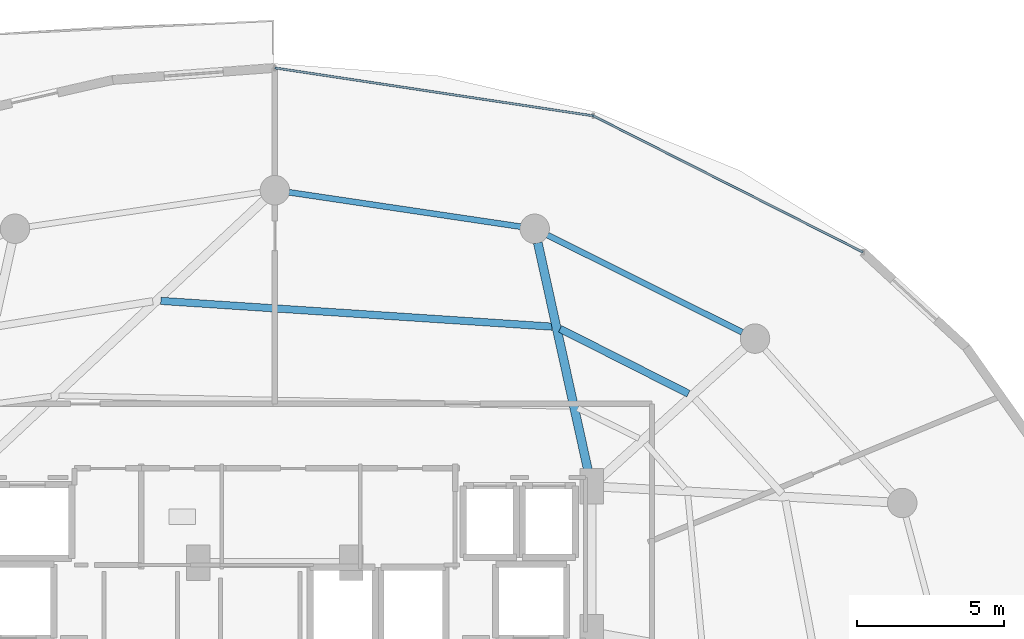
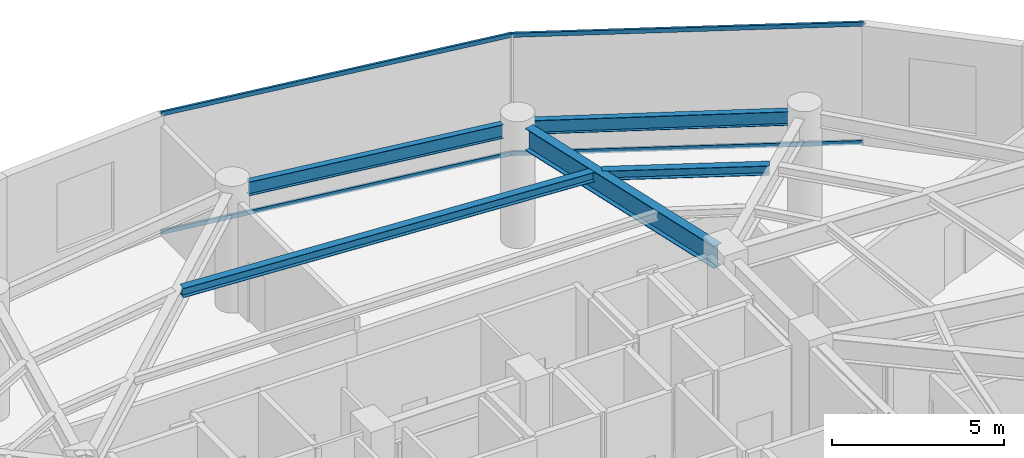
# One storey, part 21 of 31: 5 beams, 4 members, 1 element without a shape of its own.
"""IFC4 building model written with IfcOpenShell, lengths in metres."""

from ifc_helpers import new_model, si_unit, direction, frame, origin, origin_2d, place, context, subcontext, project, spatial, hollow_rectangle, i_section, extrude, material, material_profile, profile_set, type_object, element, aggregate, save


model = new_model("IFC4")

# Units and contexts
model_context = context("Model", 3, precision=1e-05, world=origin(), true_north=direction((0.0, 1.0)))
body_context = subcontext(model_context, "Body", "Model", "MODEL_VIEW")
ifc_project = project(units=[si_unit("LENGTHUNIT", "METRE"), si_unit("AREAUNIT", "SQUARE_METRE"), si_unit("VOLUMEUNIT", "CUBIC_METRE"), si_unit("PLANEANGLEUNIT", "RADIAN"), si_unit("MASSUNIT", "GRAM", prefix="KILO")], contexts=[model_context])

# Site, building, storey
site_placement = place(None, origin())
site = spatial("IfcSite", under=ifc_project, at=site_placement, CompositionType="ELEMENT")
building_placement = place(site_placement, origin())
building = spatial("IfcBuilding", under=site, at=building_placement, Name="Vorneva Point Tower", CompositionType="ELEMENT")
storey_placement = place(building_placement, frame((0.0, 0.0, 174.60009765625)))
storey = spatial("IfcBuildingStorey", under=building, at=storey_placement, Name="L47", CompositionType="ELEMENT", Elevation=174.60009765625)

# Beams
ifc_material_1 = material(Name="Steel S355", Category="steel")
ifc_material_profile_1 = material_profile(ifc_material_1, i_section(OverallWidth=0.300048828125, OverallDepth=0.7880859375, WebThickness=0.014404296875, FlangeThickness=0.02197265625, at=origin_2d()), Name="80Sh1")
ifc_profile_set_1 = profile_set([ifc_material_profile_1], Name="Steel S355")
beam_type_1 = type_object("IfcBeamType", Name="BM-GRD-80Sh1", PredefinedType="USERDEFINED", material=ifc_profile_set_1)
beam_1_placement = place(storey_placement, frame((46.926025390625, 41.414306640625, 3.845947265625), z_axis=(0.215520500859, -0.976499315775, 0.0), x_axis=(0.976499315775, 0.215520500859, 0.0)))
element("IfcBeam", 1, at=beam_1_placement, inside=storey, type_object=beam_type_1, Name="L47 Radial Primary Girder 04", ObjectType="GIRDER", PredefinedType="USERDEFINED", context=body_context, shape_type="SweptSolid", body=[
    extrude(i_section(OverallWidth=0.300048828125, OverallDepth=0.7880859375, WebThickness=0.014404296875, FlangeThickness=0.02197265625, at=origin_2d()), origin(), (0.0, 0.0, 1.0), 8.123291015625),
])
ifc_material_profile_2 = material_profile(ifc_material_1, i_section(OverallWidth=0.2490234375, OverallDepth=0.333984375, WebThickness=0.008056640625, FlangeThickness=0.010986328125, at=origin_2d()), Name="35Sh1")
ifc_profile_set_2 = profile_set([ifc_material_profile_2], Name="Steel S355")
beam_type_2 = type_object("IfcBeamType", Name="BM-SEC-35Sh1", PredefinedType="BEAM", material=ifc_profile_set_2)
beam_2_placement = place(storey_placement, frame((52.037109375, 36.292724609375, 4.072998046875), z_axis=(-0.892388118376, 0.451268707292, 0.0), x_axis=(-0.451268707292, -0.892388118376, 0.0)))
element("IfcBeam", 2, at=beam_2_placement, inside=storey, type_object=beam_type_2, Name="L47 Secondary Floor Beam 1.03", PredefinedType="BEAM", context=body_context, shape_type="SweptSolid", body=[
    extrude(i_section(OverallWidth=0.2490234375, OverallDepth=0.333984375, WebThickness=0.008056640625, FlangeThickness=0.010986328125, at=origin_2d()), origin(), (0.0, 0.0, 1.0), 4.883056640625),
])
beam_3_placement = place(storey_placement, frame((47.418701171875, 38.567626953125, 4.072998046875), z_axis=(-0.997837165049, 0.065734253217, 0.0), x_axis=(-0.065734253217, -0.997837165049, 0.0)))
element("IfcBeam", 3, at=beam_3_placement, inside=storey, type_object=beam_type_2, Name="L47 Secondary Floor Beam 1.04", PredefinedType="BEAM", context=body_context, shape_type="SweptSolid", body=[
    extrude(i_section(OverallWidth=0.2490234375, OverallDepth=0.333984375, WebThickness=0.008056640625, FlangeThickness=0.010986328125, at=origin_2d()), origin(), (0.0, 0.0, 1.0), 13.318603515625),
])
ifc_material_profile_3 = material_profile(ifc_material_1, i_section(OverallWidth=0.199951171875, OverallDepth=0.491943359375, WebThickness=0.0087890625, FlangeThickness=0.011962890625, at=origin_2d()), Name="50B1")
ifc_profile_set_3 = profile_set([ifc_material_profile_3], Name="Steel S355")
beam_type_3 = type_object("IfcBeamType", Name="BM-SPN-50B1", PredefinedType="SPANDREL", material=ifc_profile_set_3)
beam_4_placement = place(storey_placement, frame((53.86474609375, 38.378662109375, 3.993896484375), z_axis=(-0.894929061397, 0.446208443518, 0.0), x_axis=(-0.446208443518, -0.894929061397, 0.0)))
element("IfcBeam", 4, at=beam_4_placement, inside=storey, type_object=beam_type_3, Name="L47 Perimeter Spandrel Ring Beam 03", PredefinedType="SPANDREL", context=body_context, shape_type="SweptSolid", body=[
    extrude(i_section(OverallWidth=0.199951171875, OverallDepth=0.491943359375, WebThickness=0.0087890625, FlangeThickness=0.011962890625, at=origin_2d()), origin(), (0.0, 0.0, 1.0), 7.385986328125),
])
beam_5_placement = place(storey_placement, frame((46.34130859375, 41.9619140625, 3.993896484375), z_axis=(-0.989161199046, 0.146833655211, 0.0), x_axis=(-0.146833655211, -0.989161199046, 0.0)))
element("IfcBeam", 5, at=beam_5_placement, inside=storey, type_object=beam_type_3, Name="L47 Perimeter Spandrel Ring Beam 04", PredefinedType="SPANDREL", context=body_context, shape_type="SweptSolid", body=[
    extrude(i_section(OverallWidth=0.199951171875, OverallDepth=0.491943359375, WebThickness=0.0087890625, FlangeThickness=0.011962890625, at=origin_2d()), origin(), (0.0, 0.0, 1.0), 7.94775390625),
])

# Curtain wall, members
ifc_material_2 = material(Name="Pale anodised aluminium", Category="aluminium")
curtain_wall_type = type_object("IfcCurtainWallType", Name="CW-SKY-SYS", PredefinedType="NOTDEFINED", material=ifc_material_2)
curtain_wall_placement = place(storey_placement, origin())
curtain_wall = element("IfcCurtainWall", 6, at=curtain_wall_placement, inside=storey, type_object=curtain_wall_type, Name="L47 Unitised Curtain Wall CW-L47-R02", PredefinedType="NOTDEFINED")
ifc_material_profile_4 = material_profile(ifc_material_2, hollow_rectangle(XDim=0.074951171875, YDim=0.14990234375, WallThickness=0.00390625, at=origin_2d()), Name="AL-TRN 150x75x4")
ifc_profile_set_4 = profile_set([ifc_material_profile_4], Name="Pale anodised aluminium")
member_type = type_object("IfcMemberType", Name="CW-TRN-150", PredefinedType="USERDEFINED", material=ifc_profile_set_4)
member_1_placement = place(storey_placement, frame((57.961669921875, 41.0966796875, 0.02001953125), z_axis=(-0.892510927709, 0.451025768576, 0.0), x_axis=(-0.451025768576, -0.892510927709, 0.0)))
member_1 = element("IfcMember", 7, at=member_1_placement, type_object=member_type, Name="CW-L47-R02 Transom 01.1", ObjectType="TRANSOM", PredefinedType="USERDEFINED", context=body_context, shape_type="SweptSolid", body=[
    extrude(hollow_rectangle(XDim=0.074951171875, YDim=0.14990234375, WallThickness=0.00390625, at=origin_2d()), origin(), (0.0, 0.0, 1.0), 10.261474609375),
])
member_2_placement = place(storey_placement, frame((57.961669921875, 41.0966796875, 4.219970703125), z_axis=(-0.892510927709, 0.451025768576, 0.0), x_axis=(-0.451025768576, -0.892510927709, 0.0)))
member_2 = element("IfcMember", 8, at=member_2_placement, type_object=member_type, Name="CW-L47-R02 Transom 01.2", ObjectType="TRANSOM", PredefinedType="USERDEFINED", context=body_context, shape_type="SweptSolid", body=[
    extrude(hollow_rectangle(XDim=0.074951171875, YDim=0.14990234375, WallThickness=0.00390625, at=origin_2d()), origin(), (0.0, 0.0, 1.0), 10.261474609375),
])
member_3_placement = place(storey_placement, frame((48.80322265625, 45.724853515625, 0.02001953125), z_axis=(-0.988872333273, 0.148766624239, 0.0), x_axis=(-0.148766624239, -0.988872333273, 0.0)))
member_3 = element("IfcMember", 9, at=member_3_placement, type_object=member_type, Name="CW-L47-R02 Transom 02.1", ObjectType="TRANSOM", PredefinedType="USERDEFINED", context=body_context, shape_type="SweptSolid", body=[
    extrude(hollow_rectangle(XDim=0.074951171875, YDim=0.14990234375, WallThickness=0.00390625, at=origin_2d()), origin(), (0.0, 0.0, 1.0), 10.9248046875),
])
member_4_placement = place(storey_placement, frame((48.80322265625, 45.724853515625, 4.219970703125), z_axis=(-0.988872333273, 0.148766624239, 0.0), x_axis=(-0.148766624239, -0.988872333273, 0.0)))
member_4 = element("IfcMember", 10, at=member_4_placement, type_object=member_type, Name="CW-L47-R02 Transom 02.2", ObjectType="TRANSOM", PredefinedType="USERDEFINED", context=body_context, shape_type="SweptSolid", body=[
    extrude(hollow_rectangle(XDim=0.074951171875, YDim=0.14990234375, WallThickness=0.00390625, at=origin_2d()), origin(), (0.0, 0.0, 1.0), 10.9248046875),
])
aggregate(curtain_wall, [member_1, member_2, member_3, member_4])

save(model, "model.ifc")
